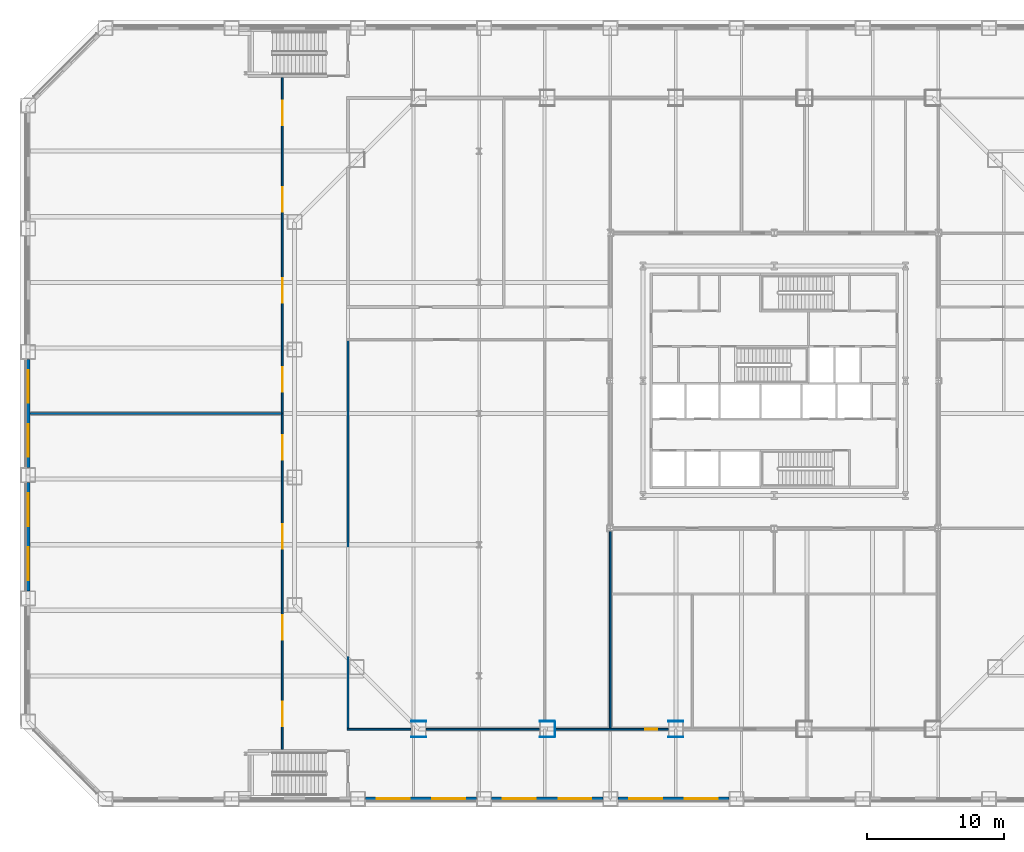
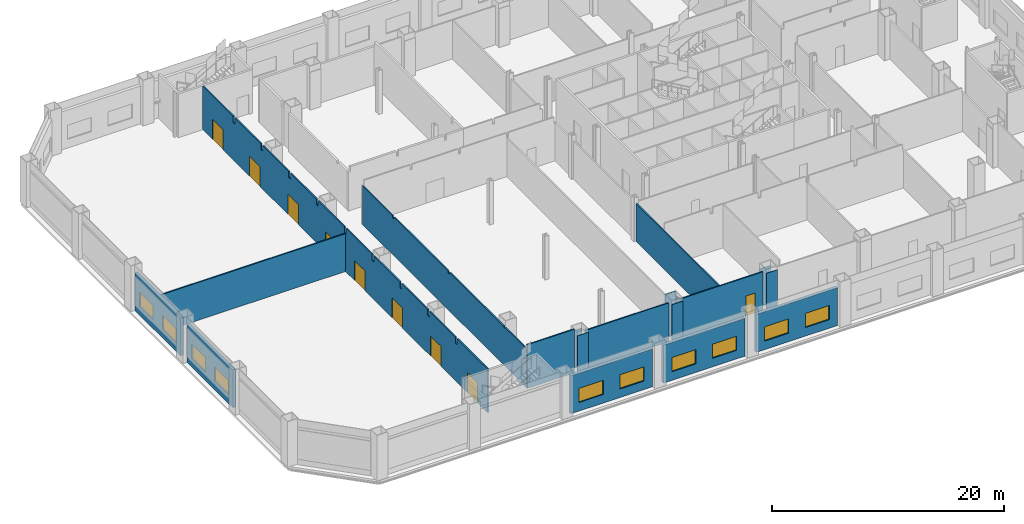
# One storey, part 12 of 26: 19 walls, 10 windows, 9 doors, 19 openings.
"""IFC4 building model written with IfcOpenShell, lengths in metres."""

from ifc_helpers import new_model, si_unit, direction, frame, frame_2d, origin, place, context, subcontext, project, spatial, polyline, rectangle, outline, extrude, material, layer, layer_set, type_object, element, fill, save


model = new_model("IFC4")

# Units and contexts
model_context = context("Model", 3, precision=1e-05, world=origin(), true_north=direction((0.0, 1.0)))
body_context = subcontext(model_context, "Body", "Model", "MODEL_VIEW")
ifc_project = project(units=[si_unit("LENGTHUNIT", "METRE"), si_unit("AREAUNIT", "SQUARE_METRE"), si_unit("VOLUMEUNIT", "CUBIC_METRE"), si_unit("PLANEANGLEUNIT", "RADIAN"), si_unit("MASSUNIT", "GRAM", prefix="KILO")], contexts=[model_context])

# Site, building, storey
site_placement = place(None, origin())
site = spatial("IfcSite", under=ifc_project, at=site_placement, CompositionType="ELEMENT")
building_placement = place(site_placement, origin())
building = spatial("IfcBuilding", under=site, at=building_placement, Name="Cairn Pilgrim Tower", CompositionType="ELEMENT")
storey_placement = place(building_placement, frame((0.0, 0.0, 21.0)))
storey = spatial("IfcBuildingStorey", under=building, at=storey_placement, Name="L03", CompositionType="ELEMENT", Elevation=21.0)

# Wall, openings, doors
ifc_material_1 = material(Name="Gypsum partition")
ifc_layer_1 = layer(ifc_material_1, 0.125)
ifc_layer_set_1 = layer_set([ifc_layer_1], Name="PARTITION 125 DRYWALL EI 60")
wall_type_1 = type_object("IfcWallType", Name="PARTITION 125 DRYWALL EI 60", PredefinedType="PARTITIONING", material=ifc_layer_set_1)
wall_1_placement = place(storey_placement, frame((-28.800048828125, -24.60009765625, 0.0), z_axis=(0.0, 0.0, 1.0), x_axis=(0.0, 1.0, 0.0)))
wall_1 = element("IfcWall", 1, at=wall_1_placement, inside=storey, type_object=wall_type_1, Name="PARTITION W007", PredefinedType="PARTITIONING", context=body_context, shape_type="SweptSolid", body=[
    extrude(outline(polyline([(0.0, 0.0), (49.2001953125, 0.0), (49.199951171875, 4.60009765625), (43.949951171875, 4.60009765625), (43.947998046875, 3.97998046875), (43.64990234375, 3.97998046875), (43.64794921875, 4.60009765625), (39.14990234375, 4.60009765625), (39.14794921875, 3.97998046875), (38.85009765625, 3.97998046875), (38.847900390625, 4.60009765625), (34.35009765625, 4.60009765625), (34.347900390625, 3.97998046875), (34.050048828125, 3.97998046875), (34.048095703125, 4.60009765625), (29.550048828125, 4.60009765625), (29.548095703125, 3.97998046875), (29.25, 3.97998046875), (29.248046875, 4.60009765625), (24.75, 4.60009765625), (24.748046875, 3.97998046875), (24.449951171875, 3.97998046875), (24.447998046875, 4.60009765625), (19.949951171875, 4.60009765625), (19.947998046875, 3.97998046875), (19.64990234375, 3.97998046875), (19.64794921875, 4.60009765625), (15.14990234375, 4.60009765625), (15.14794921875, 3.97998046875), (14.85009765625, 3.97998046875), (14.847900390625, 4.60009765625), (10.35009765625, 4.60009765625), (10.347900390625, 3.97998046875), (10.050048828125, 3.97998046875), (10.048095703125, 4.60009765625), (5.550048828125, 4.60009765625), (5.548095703125, 3.97998046875), (5.25, 3.97998046875), (5.248046875, 4.60009765625), (0.0, 4.60009765625), (0.0, 0.0)])), frame((0.0, 0.0625, 0.0), z_axis=(0.0, -1.0, 0.0), x_axis=(1.0, 0.0, 0.0)), (0.0, 0.0, 1.0), 0.125),
])
opening_1_placement = place(wall_1_placement, frame((1.699951171875, 0.0, 0.0)))
opening_1 = element("IfcOpeningElement", 2, at=opening_1_placement, cuts=wall_1, Name="Opening 0329", PredefinedType="OPENING", context=body_context, shape_type="SweptSolid", body=[
    extrude(rectangle(XDim=1.800048828125, YDim=2.10009765625, at=frame_2d((0.89990234375, 1.050048828125))), frame((0.0, 0.072509765625, 0.0), z_axis=(0.0, -1.0, 0.0), x_axis=(1.0, 0.0, 0.0)), (0.0, 0.0, 1.0), 0.14501953125),
])
opening_2_placement = place(wall_1_placement, frame((8.050048828125, 0.0, 0.0)))
opening_2 = element("IfcOpeningElement", 3, at=opening_2_placement, cuts=wall_1, Name="Opening 0330", PredefinedType="OPENING", context=body_context, shape_type="SweptSolid", body=[
    extrude(rectangle(XDim=1.800048828125, YDim=2.10009765625, at=frame_2d((0.89990234375, 1.050048828125))), frame((0.0, 0.072509765625, 0.0), z_axis=(0.0, -1.0, 0.0), x_axis=(1.0, 0.0, 0.0)), (0.0, 0.0, 1.0), 0.14501953125),
])
opening_3_placement = place(wall_1_placement, frame((14.699951171875, 0.0, 0.0)))
opening_3 = element("IfcOpeningElement", 4, at=opening_3_placement, cuts=wall_1, Name="Opening 0331", PredefinedType="OPENING", context=body_context, shape_type="SweptSolid", body=[
    extrude(rectangle(XDim=1.800048828125, YDim=2.10009765625, at=frame_2d((0.89990234375, 1.050048828125))), frame((0.0, 0.072509765625, 0.0), z_axis=(0.0, -1.0, 0.0), x_axis=(1.0, 0.0, 0.0)), (0.0, 0.0, 1.0), 0.14501953125),
])
opening_4_placement = place(wall_1_placement, frame((21.199951171875, 0.0, 0.0)))
opening_4 = element("IfcOpeningElement", 5, at=opening_4_placement, cuts=wall_1, Name="Opening 0332", PredefinedType="OPENING", context=body_context, shape_type="SweptSolid", body=[
    extrude(rectangle(XDim=1.800048828125, YDim=2.10009765625, at=frame_2d((0.89990234375, 1.050048828125))), frame((0.0, 0.072509765625, 0.0), z_axis=(0.0, -1.0, 0.0), x_axis=(1.0, 0.0, 0.0)), (0.0, 0.0, 1.0), 0.14501953125),
])
opening_5_placement = place(wall_1_placement, frame((26.199951171875, 0.0, 0.0)))
opening_5 = element("IfcOpeningElement", 6, at=opening_5_placement, cuts=wall_1, Name="Opening 0333", PredefinedType="OPENING", context=body_context, shape_type="SweptSolid", body=[
    extrude(rectangle(XDim=1.800048828125, YDim=2.10009765625, at=frame_2d((0.89990234375, 1.050048828125))), frame((0.0, 0.072509765625, 0.0), z_axis=(0.0, -1.0, 0.0), x_axis=(1.0, 0.0, 0.0)), (0.0, 0.0, 1.0), 0.14501953125),
])
opening_6_placement = place(wall_1_placement, frame((32.699951171875, 0.0, 0.0)))
opening_6 = element("IfcOpeningElement", 7, at=opening_6_placement, cuts=wall_1, Name="Opening 0334", PredefinedType="OPENING", context=body_context, shape_type="SweptSolid", body=[
    extrude(rectangle(XDim=1.800048828125, YDim=2.10009765625, at=frame_2d((0.89990234375, 1.050048828125))), frame((0.0, 0.072509765625, 0.0), z_axis=(0.0, -1.0, 0.0), x_axis=(1.0, 0.0, 0.0)), (0.0, 0.0, 1.0), 0.14501953125),
])
opening_7_placement = place(wall_1_placement, frame((39.35009765625, 0.0, 0.0)))
opening_7 = element("IfcOpeningElement", 8, at=opening_7_placement, cuts=wall_1, Name="Opening 0335", PredefinedType="OPENING", context=body_context, shape_type="SweptSolid", body=[
    extrude(rectangle(XDim=1.800048828125, YDim=2.10009765625, at=frame_2d((0.89990234375, 1.050048828125))), frame((0.0, 0.072509765625, 0.0), z_axis=(0.0, -1.0, 0.0), x_axis=(1.0, 0.0, 0.0)), (0.0, 0.0, 1.0), 0.14501953125),
])
opening_8_placement = place(wall_1_placement, frame((45.699951171875, 0.0, 0.0)))
opening_8 = element("IfcOpeningElement", 9, at=opening_8_placement, cuts=wall_1, Name="Opening 0336", PredefinedType="OPENING", context=body_context, shape_type="SweptSolid", body=[
    extrude(rectangle(XDim=1.800048828125, YDim=2.10009765625, at=frame_2d((0.89990234375, 1.050048828125))), frame((0.0, 0.072509765625, 0.0), z_axis=(0.0, -1.0, 0.0), x_axis=(1.0, 0.0, 0.0)), (0.0, 0.0, 1.0), 0.14501953125),
])
ifc_material_2 = material(Name="Timber door leaf", Category="wood")
door_type_1 = type_object("IfcDoorType", Name="DOOR PAIR 1800x2100 FD60S", OperationType="NOTDEFINED", PredefinedType="DOOR", material=ifc_material_2)
door_1_placement = place(opening_1_placement, frame((1.800048828125, 0.0, 0.0), z_axis=(0.0, 0.0, 1.0), x_axis=(-1.0, 0.0, 0.0)))
door_1 = element("IfcDoor", 10, at=door_1_placement, inside=storey, type_object=door_type_1, Name="DOOR 0329", OperationType="DOUBLE_DOOR_SINGLE_SWING", OverallHeight=2.10009765625, OverallWidth=1.800048828125, PredefinedType="DOOR", context=body_context, shape_type="SweptSolid", body=[
    extrude(rectangle(XDim=1.800048828125, YDim=2.10009765625, at=frame_2d((0.89990234375, 1.050048828125))), frame((0.0, 0.02490234375, 0.0), z_axis=(0.0, -1.0, 0.0), x_axis=(1.0, 0.0, 0.0)), (0.0, 0.0, 1.0), 0.050048828125),
])
fill(opening_1, door_1)
door_2_placement = place(opening_2_placement, frame((1.800048828125, 0.0, 0.0), z_axis=(0.0, 0.0, 1.0), x_axis=(-1.0, 0.0, 0.0)))
door_2 = element("IfcDoor", 11, at=door_2_placement, inside=storey, type_object=door_type_1, Name="DOOR 0330", OperationType="DOUBLE_DOOR_SINGLE_SWING", OverallHeight=2.10009765625, OverallWidth=1.800048828125, PredefinedType="DOOR", context=body_context, shape_type="SweptSolid", body=[
    extrude(rectangle(XDim=1.800048828125, YDim=2.10009765625, at=frame_2d((0.89990234375, 1.050048828125))), frame((0.0, 0.02490234375, 0.0), z_axis=(0.0, -1.0, 0.0), x_axis=(1.0, 0.0, 0.0)), (0.0, 0.0, 1.0), 0.050048828125),
])
fill(opening_2, door_2)
door_3_placement = place(opening_3_placement, frame((1.800048828125, 0.0, 0.0), z_axis=(0.0, 0.0, 1.0), x_axis=(-1.0, 0.0, 0.0)))
door_3 = element("IfcDoor", 12, at=door_3_placement, inside=storey, type_object=door_type_1, Name="DOOR 0331", OperationType="DOUBLE_DOOR_SINGLE_SWING", OverallHeight=2.10009765625, OverallWidth=1.800048828125, PredefinedType="DOOR", context=body_context, shape_type="SweptSolid", body=[
    extrude(rectangle(XDim=1.800048828125, YDim=2.10009765625, at=frame_2d((0.89990234375, 1.050048828125))), frame((0.0, 0.02490234375, 0.0), z_axis=(0.0, -1.0, 0.0), x_axis=(1.0, 0.0, 0.0)), (0.0, 0.0, 1.0), 0.050048828125),
])
fill(opening_3, door_3)
door_4_placement = place(opening_4_placement, frame((1.800048828125, 0.0, 0.0), z_axis=(0.0, 0.0, 1.0), x_axis=(-1.0, 0.0, 0.0)))
door_4 = element("IfcDoor", 13, at=door_4_placement, inside=storey, type_object=door_type_1, Name="DOOR 0332", OperationType="DOUBLE_DOOR_SINGLE_SWING", OverallHeight=2.10009765625, OverallWidth=1.800048828125, PredefinedType="DOOR", context=body_context, shape_type="SweptSolid", body=[
    extrude(rectangle(XDim=1.800048828125, YDim=2.10009765625, at=frame_2d((0.89990234375, 1.050048828125))), frame((0.0, 0.02490234375, 0.0), z_axis=(0.0, -1.0, 0.0), x_axis=(1.0, 0.0, 0.0)), (0.0, 0.0, 1.0), 0.050048828125),
])
fill(opening_4, door_4)
door_5_placement = place(opening_5_placement, frame((1.800048828125, 0.0, 0.0), z_axis=(0.0, 0.0, 1.0), x_axis=(-1.0, 0.0, 0.0)))
door_5 = element("IfcDoor", 14, at=door_5_placement, inside=storey, type_object=door_type_1, Name="DOOR 0333", OperationType="DOUBLE_DOOR_SINGLE_SWING", OverallHeight=2.10009765625, OverallWidth=1.800048828125, PredefinedType="DOOR", context=body_context, shape_type="SweptSolid", body=[
    extrude(rectangle(XDim=1.800048828125, YDim=2.10009765625, at=frame_2d((0.89990234375, 1.050048828125))), frame((0.0, 0.02490234375, 0.0), z_axis=(0.0, -1.0, 0.0), x_axis=(1.0, 0.0, 0.0)), (0.0, 0.0, 1.0), 0.050048828125),
])
fill(opening_5, door_5)
door_6_placement = place(opening_6_placement, frame((1.800048828125, 0.0, 0.0), z_axis=(0.0, 0.0, 1.0), x_axis=(-1.0, 0.0, 0.0)))
door_6 = element("IfcDoor", 15, at=door_6_placement, inside=storey, type_object=door_type_1, Name="DOOR 0334", OperationType="DOUBLE_DOOR_SINGLE_SWING", OverallHeight=2.10009765625, OverallWidth=1.800048828125, PredefinedType="DOOR", context=body_context, shape_type="SweptSolid", body=[
    extrude(rectangle(XDim=1.800048828125, YDim=2.10009765625, at=frame_2d((0.89990234375, 1.050048828125))), frame((0.0, 0.02490234375, 0.0), z_axis=(0.0, -1.0, 0.0), x_axis=(1.0, 0.0, 0.0)), (0.0, 0.0, 1.0), 0.050048828125),
])
fill(opening_6, door_6)
door_7_placement = place(opening_7_placement, frame((1.800048828125, 0.0, 0.0), z_axis=(0.0, 0.0, 1.0), x_axis=(-1.0, 0.0, 0.0)))
door_7 = element("IfcDoor", 16, at=door_7_placement, inside=storey, type_object=door_type_1, Name="DOOR 0335", OperationType="DOUBLE_DOOR_SINGLE_SWING", OverallHeight=2.10009765625, OverallWidth=1.800048828125, PredefinedType="DOOR", context=body_context, shape_type="SweptSolid", body=[
    extrude(rectangle(XDim=1.800048828125, YDim=2.10009765625, at=frame_2d((0.89990234375, 1.050048828125))), frame((0.0, 0.02490234375, 0.0), z_axis=(0.0, -1.0, 0.0), x_axis=(1.0, 0.0, 0.0)), (0.0, 0.0, 1.0), 0.050048828125),
])
fill(opening_7, door_7)
door_8_placement = place(opening_8_placement, frame((1.800048828125, 0.0, 0.0), z_axis=(0.0, 0.0, 1.0), x_axis=(-1.0, 0.0, 0.0)))
door_8 = element("IfcDoor", 17, at=door_8_placement, inside=storey, type_object=door_type_1, Name="DOOR 0336", OperationType="DOUBLE_DOOR_SINGLE_SWING", OverallHeight=2.10009765625, OverallWidth=1.800048828125, PredefinedType="DOOR", context=body_context, shape_type="SweptSolid", body=[
    extrude(rectangle(XDim=1.800048828125, YDim=2.10009765625, at=frame_2d((0.89990234375, 1.050048828125))), frame((0.0, 0.02490234375, 0.0), z_axis=(0.0, -1.0, 0.0), x_axis=(1.0, 0.0, 0.0)), (0.0, 0.0, 1.0), 0.050048828125),
])
fill(opening_8, door_8)

# Walls
wall_2_placement = place(storey_placement, frame((-24.0625, -23.10009765625, 0.0), z_axis=(0.0, 0.0, 1.0), x_axis=(1.0, 0.0, 0.0)))
element("IfcWall", 18, at=wall_2_placement, inside=storey, type_object=wall_type_1, Name="PARTITION W008", PredefinedType="PARTITIONING", context=body_context, shape_type="SweptSolid", body=[
    extrude(rectangle(XDim=4.685302734375, YDim=0.125, at=frame_2d((2.3427734375, 0.0))), origin(), (0.0, 0.0, 1.0), 4.60009765625),
])
wall_3_placement = place(storey_placement, frame((-18.277099609375, -23.10009765625, 0.0), z_axis=(0.0, 0.0, 1.0), x_axis=(1.0, 0.0, 0.0)))
element("IfcWall", 19, at=wall_3_placement, inside=storey, type_object=wall_type_1, Name="PARTITION W009", PredefinedType="PARTITIONING", context=body_context, shape_type="SweptSolid", body=[
    extrude(rectangle(XDim=8.3134765625, YDim=0.125, at=frame_2d((4.15673828125, 0.0))), origin(), (0.0, 0.0, 1.0), 4.080078125),
])

# Wall, opening, door
wall_4_placement = place(storey_placement, frame((-8.863525390625, -23.10009765625, 0.0), z_axis=(0.0, 0.0, 1.0), x_axis=(1.0, 0.0, 0.0)))
wall_4 = element("IfcWall", 20, at=wall_4_placement, inside=storey, type_object=wall_type_1, Name="PARTITION W010", PredefinedType="PARTITIONING", context=body_context, shape_type="SweptSolid", body=[
    extrude(rectangle(XDim=8.3134765625, YDim=0.125, at=frame_2d((4.15673828125, 0.0))), origin(), (0.0, 0.0, 1.0), 4.080078125),
])
opening_9_placement = place(wall_4_placement, frame((6.613525390625, 0.0, 0.0)))
opening_9 = element("IfcOpeningElement", 21, at=opening_9_placement, cuts=wall_4, Name="Opening 0312", PredefinedType="OPENING", context=body_context, shape_type="SweptSolid", body=[
    extrude(rectangle(XDim=0.89990234375, YDim=2.10009765625, at=frame_2d((0.449951171875, 1.050048828125))), frame((0.0, 0.072509765625, 0.0), z_axis=(0.0, -1.0, 0.0), x_axis=(1.0, 0.0, 0.0)), (0.0, 0.0, 1.0), 0.14501953125),
])
door_type_2 = type_object("IfcDoorType", Name="SERVICE DOOR 900x2100 FD30S", OperationType="NOTDEFINED", PredefinedType="DOOR", material=ifc_material_2)
door_9_placement = place(opening_9_placement, frame((0.89990234375, 0.0, 0.0), z_axis=(0.0, 0.0, 1.0), x_axis=(-1.0, 0.0, 0.0)))
door_9 = element("IfcDoor", 22, at=door_9_placement, inside=storey, type_object=door_type_2, Name="DOOR 0312", OperationType="SINGLE_SWING_RIGHT", OverallHeight=2.10009765625, OverallWidth=0.89990234375, PredefinedType="DOOR", context=body_context, shape_type="SweptSolid", body=[
    extrude(rectangle(XDim=0.89990234375, YDim=2.10009765625, at=frame_2d((0.449951171875, 1.050048828125))), frame((0.0, 0.02490234375, 0.0), z_axis=(0.0, -1.0, 0.0), x_axis=(1.0, 0.0, 0.0)), (0.0, 0.0, 1.0), 0.050048828125),
])
fill(opening_9, door_9)

# Walls
wall_5_placement = place(storey_placement, frame((-24.0, -23.03759765625, 0.0), z_axis=(0.0, 0.0, 1.0), x_axis=(0.0, 1.0, 0.0)))
element("IfcWall", 23, at=wall_5_placement, inside=storey, type_object=wall_type_1, Name="PARTITION W014", PredefinedType="PARTITIONING", context=body_context, shape_type="SweptSolid", body=[
    extrude(outline(polyline([(0.0, 0.0), (28.375, 0.0), (28.375, 4.080078125), (23.1875, 4.080078125), (23.185546875, 3.8798828125), (22.887451171875, 3.8798828125), (22.885498046875, 4.080078125), (13.58740234375, 4.080078125), (13.58544921875, 3.8798828125), (13.28759765625, 3.8798828125), (13.285400390625, 4.080078125), (3.987548828125, 4.080078125), (3.985595703125, 3.97998046875), (3.6875, 3.97998046875), (3.685546875, 4.080078125), (0.0, 4.080078125), (0.0, 0.0)])), frame((0.0, 0.0625, 0.0), z_axis=(0.0, -1.0, 0.0), x_axis=(1.0, 0.0, 0.0)), (0.0, 0.0, 1.0), 0.125),
])
wall_6_placement = place(storey_placement, frame((-4.800048828125, -23.03759765625, 0.0), z_axis=(0.0, 0.0, 1.0), x_axis=(0.0, 1.0, 0.0)))
element("IfcWall", 24, at=wall_6_placement, inside=storey, type_object=wall_type_1, Name="PARTITION W015", PredefinedType="PARTITIONING", context=body_context, shape_type="SweptSolid", body=[
    extrude(rectangle(XDim=14.400634765625, YDim=0.125, at=frame_2d((7.2001953125, 0.0))), origin(), (0.0, 0.0, 1.0), 3.97998046875),
])
wall_7_placement = place(storey_placement, frame((-47.25, 0.0, 0.0), z_axis=(0.0, 0.0, 1.0), x_axis=(1.0, 0.0, 0.0)))
element("IfcWall", 25, at=wall_7_placement, inside=storey, type_object=wall_type_1, Name="PARTITION W036", PredefinedType="PARTITIONING", context=body_context, shape_type="SweptSolid", body=[
    extrude(rectangle(XDim=18.387451171875, YDim=0.125, at=frame_2d((9.19384765625, 0.0))), origin(), (0.0, 0.0, 1.0), 3.97998046875),
])
ifc_layer_2 = layer(ifc_material_1, 0.050048828125)
ifc_layer_set_2 = layer_set([ifc_layer_2], Name="PARTITION 50 DRYWALL EI 60")
wall_type_2 = type_object("IfcWallType", Name="PARTITION 50 DRYWALL EI 60", PredefinedType="PARTITIONING", material=ifc_layer_set_2)
wall_8_placement = place(storey_placement, frame((-19.377197265625, -22.52490234375, 0.0), z_axis=(0.0, 0.0, 1.0), x_axis=(1.0, 0.0, 0.0)))
element("IfcWall", 26, at=wall_8_placement, inside=storey, type_object=wall_type_2, Name="COLUMN CASING WC01", PredefinedType="PARTITIONING", context=body_context, shape_type="SweptSolid", body=[
    extrude(rectangle(XDim=1.10009765625, YDim=0.050048828125, at=frame_2d((0.550048828125, 0.0))), origin(), (0.0, 0.0, 1.0), 3.97998046875),
])
wall_9_placement = place(storey_placement, frame((-19.377197265625, -23.675048828125, 0.0), z_axis=(0.0, 0.0, 1.0), x_axis=(1.0, 0.0, 0.0)))
element("IfcWall", 27, at=wall_9_placement, inside=storey, type_object=wall_type_2, Name="COLUMN CASING WC02", PredefinedType="PARTITIONING", context=body_context, shape_type="SweptSolid", body=[
    extrude(rectangle(XDim=1.10009765625, YDim=0.050048828125, at=frame_2d((0.550048828125, 0.0))), origin(), (0.0, 0.0, 1.0), 4.219970703125),
])
wall_10_placement = place(storey_placement, frame((-9.963623046875, -22.52490234375, 0.0), z_axis=(0.0, 0.0, 1.0), x_axis=(1.0, 0.0, 0.0)))
element("IfcWall", 28, at=wall_10_placement, inside=storey, type_object=wall_type_2, Name="COLUMN CASING WC03", PredefinedType="PARTITIONING", context=body_context, shape_type="SweptSolid", body=[
    extrude(rectangle(XDim=1.10009765625, YDim=0.050048828125, at=frame_2d((0.550048828125, 0.0))), origin(), (0.0, 0.0, 1.0), 4.60009765625),
])
wall_11_placement = place(storey_placement, frame((-9.963623046875, -23.675048828125, 0.0), z_axis=(0.0, 0.0, 1.0), x_axis=(1.0, 0.0, 0.0)))
element("IfcWall", 29, at=wall_11_placement, inside=storey, type_object=wall_type_2, Name="COLUMN CASING WC04", PredefinedType="PARTITIONING", context=body_context, shape_type="SweptSolid", body=[
    extrude(rectangle(XDim=1.10009765625, YDim=0.050048828125, at=frame_2d((0.550048828125, 0.0))), origin(), (0.0, 0.0, 1.0), 4.219970703125),
])
wall_12_placement = place(storey_placement, frame((-0.550048828125, -22.52490234375, 0.0), z_axis=(0.0, 0.0, 1.0), x_axis=(1.0, 0.0, 0.0)))
element("IfcWall", 30, at=wall_12_placement, inside=storey, type_object=wall_type_2, Name="COLUMN CASING WC05", PredefinedType="PARTITIONING", context=body_context, shape_type="SweptSolid", body=[
    extrude(rectangle(XDim=1.10009765625, YDim=0.050048828125, at=frame_2d((0.550048828125, 0.0))), origin(), (0.0, 0.0, 1.0), 3.97998046875),
])
wall_13_placement = place(storey_placement, frame((-0.550048828125, -23.675048828125, 0.0), z_axis=(0.0, 0.0, 1.0), x_axis=(1.0, 0.0, 0.0)))
element("IfcWall", 31, at=wall_13_placement, inside=storey, type_object=wall_type_2, Name="COLUMN CASING WC06", PredefinedType="PARTITIONING", context=body_context, shape_type="SweptSolid", body=[
    extrude(rectangle(XDim=1.10009765625, YDim=0.050048828125, at=frame_2d((0.550048828125, 0.0))), origin(), (0.0, 0.0, 1.0), 4.219970703125),
])
wall_14_placement = place(storey_placement, frame((-8.838623046875, -23.64990234375, 0.0), z_axis=(0.0, 0.0, 1.0), x_axis=(0.0, 1.0, 0.0)))
element("IfcWall", 32, at=wall_14_placement, inside=storey, type_object=wall_type_2, Name="COLUMN CASING WC11", PredefinedType="PARTITIONING", context=body_context, shape_type="SweptSolid", body=[
    extrude(rectangle(XDim=1.099853515625, YDim=0.050048828125, at=frame_2d((0.5498046875, 0.0))), origin(), (0.0, 0.0, 1.0), 4.080078125),
])

# Wall, openings, windows
ifc_material_3 = material(Name="Concrete C35/45 backup wall with bronze aluminium cladding", Category="concrete")
ifc_layer_3 = layer(ifc_material_3, 0.300048828125)
ifc_layer_set_3 = layer_set([ifc_layer_3], Name="PODIUM WALL 300 BRONZE-CLAD")
wall_type_3 = type_object("IfcWallType", Name="PODIUM WALL 300 BRONZE-CLAD", PredefinedType="SOLIDWALL", material=ifc_layer_set_3)
wall_15_placement = place(storey_placement, frame((-22.7255859375, -28.199951171875, 0.0), z_axis=(0.0, 0.0, 1.0), x_axis=(1.0, 0.0, 0.0)))
wall_15 = element("IfcWall", 33, at=wall_15_placement, inside=storey, type_object=wall_type_3, Name="PODIUM EXTERNAL WALL S3-S4", PredefinedType="SOLIDWALL", context=body_context, shape_type="SweptSolid", body=[
    extrude(rectangle(XDim=8.1376953125, YDim=0.300048828125, at=frame_2d((4.06884765625, 0.0))), origin(), (0.0, 0.0, 1.0), 4.0),
])
opening_10_placement = place(wall_15_placement, frame((0.83447265625, 0.0, 0.89990234375)))
opening_10 = element("IfcOpeningElement", 34, at=opening_10_placement, cuts=wall_15, Name="Opening PW15", PredefinedType="OPENING", context=body_context, shape_type="SweptSolid", body=[
    extrude(rectangle(XDim=2.39990234375, YDim=1.5, at=frame_2d((1.199951171875, 0.75))), frame((0.0, 0.16015625, 0.0), z_axis=(0.0, -1.0, 0.0), x_axis=(1.0, 0.0, 0.0)), (0.0, 0.0, 1.0), 0.320068359375),
])
opening_11_placement = place(wall_15_placement, frame((4.9033203125, 0.0, 0.89990234375)))
opening_11 = element("IfcOpeningElement", 35, at=opening_11_placement, cuts=wall_15, Name="Opening PW15", PredefinedType="OPENING", context=body_context, shape_type="SweptSolid", body=[
    extrude(rectangle(XDim=2.39990234375, YDim=1.5, at=frame_2d((1.199951171875, 0.75))), frame((0.0, 0.16015625, 0.0), z_axis=(0.0, -1.0, 0.0), x_axis=(1.0, 0.0, 0.0)), (0.0, 0.0, 1.0), 0.320068359375),
])
ifc_material_4 = material(Name="Bronze anodised aluminium frame with tinted low-E glass", Category="aluminium")
window_type = type_object("IfcWindowType", Name="PODIUM FIXED WINDOW 2400x1500", PartitioningType="SINGLE_PANEL", PredefinedType="WINDOW", material=ifc_material_4)
window_1_placement = place(opening_10_placement, origin())
window_1 = element("IfcWindow", 36, at=window_1_placement, inside=storey, type_object=window_type, Name="PODIUM WINDOW", OverallHeight=1.5, OverallWidth=2.39990234375, PartitioningType="SINGLE_PANEL", PredefinedType="WINDOW", context=body_context, shape_type="SweptSolid", body=[
    extrude(rectangle(XDim=2.39990234375, YDim=1.5, at=frame_2d((1.199951171875, 0.75))), frame((0.0, 0.030029296875, 0.0), z_axis=(0.0, -1.0, 0.0), x_axis=(1.0, 0.0, 0.0)), (0.0, 0.0, 1.0), 0.06005859375),
])
fill(opening_10, window_1)
window_2_placement = place(opening_11_placement, origin())
window_2 = element("IfcWindow", 37, at=window_2_placement, inside=storey, type_object=window_type, Name="PODIUM WINDOW", OverallHeight=1.5, OverallWidth=2.39990234375, PartitioningType="SINGLE_PANEL", PredefinedType="WINDOW", context=body_context, shape_type="SweptSolid", body=[
    extrude(rectangle(XDim=2.39990234375, YDim=1.5, at=frame_2d((1.199951171875, 0.75))), frame((0.0, 0.030029296875, 0.0), z_axis=(0.0, -1.0, 0.0), x_axis=(1.0, 0.0, 0.0)), (0.0, 0.0, 1.0), 0.06005859375),
])
fill(opening_11, window_2)

wall_16_placement = place(storey_placement, frame((-13.48779296875, -28.199951171875, 0.0), z_axis=(0.0, 0.0, 1.0), x_axis=(1.0, 0.0, 0.0)))
wall_16 = element("IfcWall", 38, at=wall_16_placement, inside=storey, type_object=wall_type_3, Name="PODIUM EXTERNAL WALL S4-S5", PredefinedType="SOLIDWALL", context=body_context, shape_type="SweptSolid", body=[
    extrude(rectangle(XDim=8.1376953125, YDim=0.300048828125, at=frame_2d((4.06884765625, 0.0))), origin(), (0.0, 0.0, 1.0), 4.0),
])
opening_12_placement = place(wall_16_placement, frame((0.83447265625, 0.0, 0.89990234375)))
opening_12 = element("IfcOpeningElement", 39, at=opening_12_placement, cuts=wall_16, Name="Opening PW15", PredefinedType="OPENING", context=body_context, shape_type="SweptSolid", body=[
    extrude(rectangle(XDim=2.39990234375, YDim=1.5, at=frame_2d((1.199951171875, 0.75))), frame((0.0, 0.16015625, 0.0), z_axis=(0.0, -1.0, 0.0), x_axis=(1.0, 0.0, 0.0)), (0.0, 0.0, 1.0), 0.320068359375),
])
opening_13_placement = place(wall_16_placement, frame((4.9033203125, 0.0, 0.89990234375)))
opening_13 = element("IfcOpeningElement", 40, at=opening_13_placement, cuts=wall_16, Name="Opening PW15", PredefinedType="OPENING", context=body_context, shape_type="SweptSolid", body=[
    extrude(rectangle(XDim=2.39990234375, YDim=1.5, at=frame_2d((1.199951171875, 0.75))), frame((0.0, 0.16015625, 0.0), z_axis=(0.0, -1.0, 0.0), x_axis=(1.0, 0.0, 0.0)), (0.0, 0.0, 1.0), 0.320068359375),
])
window_3_placement = place(opening_12_placement, origin())
window_3 = element("IfcWindow", 41, at=window_3_placement, inside=storey, type_object=window_type, Name="PODIUM WINDOW", OverallHeight=1.5, OverallWidth=2.39990234375, PartitioningType="SINGLE_PANEL", PredefinedType="WINDOW", context=body_context, shape_type="SweptSolid", body=[
    extrude(rectangle(XDim=2.39990234375, YDim=1.5, at=frame_2d((1.199951171875, 0.75))), frame((0.0, 0.030029296875, 0.0), z_axis=(0.0, -1.0, 0.0), x_axis=(1.0, 0.0, 0.0)), (0.0, 0.0, 1.0), 0.06005859375),
])
fill(opening_12, window_3)
window_4_placement = place(opening_13_placement, origin())
window_4 = element("IfcWindow", 42, at=window_4_placement, inside=storey, type_object=window_type, Name="PODIUM WINDOW", OverallHeight=1.5, OverallWidth=2.39990234375, PartitioningType="SINGLE_PANEL", PredefinedType="WINDOW", context=body_context, shape_type="SweptSolid", body=[
    extrude(rectangle(XDim=2.39990234375, YDim=1.5, at=frame_2d((1.199951171875, 0.75))), frame((0.0, 0.030029296875, 0.0), z_axis=(0.0, -1.0, 0.0), x_axis=(1.0, 0.0, 0.0)), (0.0, 0.0, 1.0), 0.06005859375),
])
fill(opening_13, window_4)

wall_17_placement = place(storey_placement, frame((-4.25, -28.199951171875, 0.0), z_axis=(0.0, 0.0, 1.0), x_axis=(1.0, 0.0, 0.0)))
wall_17 = element("IfcWall", 43, at=wall_17_placement, inside=storey, type_object=wall_type_3, Name="PODIUM EXTERNAL WALL S5-S6", PredefinedType="SOLIDWALL", context=body_context, shape_type="SweptSolid", body=[
    extrude(rectangle(XDim=8.137939453125, YDim=0.300048828125, at=frame_2d((4.06884765625, 0.0))), origin(), (0.0, 0.0, 1.0), 4.0),
])
opening_14_placement = place(wall_17_placement, frame((0.83447265625, 0.0, 0.89990234375)))
opening_14 = element("IfcOpeningElement", 44, at=opening_14_placement, cuts=wall_17, Name="Opening PW15", PredefinedType="OPENING", context=body_context, shape_type="SweptSolid", body=[
    extrude(rectangle(XDim=2.39990234375, YDim=1.5, at=frame_2d((1.199951171875, 0.75))), frame((0.0, 0.16015625, 0.0), z_axis=(0.0, -1.0, 0.0), x_axis=(1.0, 0.0, 0.0)), (0.0, 0.0, 1.0), 0.320068359375),
])
opening_15_placement = place(wall_17_placement, frame((4.9033203125, 0.0, 0.89990234375)))
opening_15 = element("IfcOpeningElement", 45, at=opening_15_placement, cuts=wall_17, Name="Opening PW15", PredefinedType="OPENING", context=body_context, shape_type="SweptSolid", body=[
    extrude(rectangle(XDim=2.39990234375, YDim=1.5, at=frame_2d((1.199951171875, 0.75))), frame((0.0, 0.16015625, 0.0), z_axis=(0.0, -1.0, 0.0), x_axis=(1.0, 0.0, 0.0)), (0.0, 0.0, 1.0), 0.320068359375),
])
window_5_placement = place(opening_14_placement, origin())
window_5 = element("IfcWindow", 46, at=window_5_placement, inside=storey, type_object=window_type, Name="PODIUM WINDOW", OverallHeight=1.5, OverallWidth=2.39990234375, PartitioningType="SINGLE_PANEL", PredefinedType="WINDOW", context=body_context, shape_type="SweptSolid", body=[
    extrude(rectangle(XDim=2.39990234375, YDim=1.5, at=frame_2d((1.199951171875, 0.75))), frame((0.0, 0.030029296875, 0.0), z_axis=(0.0, -1.0, 0.0), x_axis=(1.0, 0.0, 0.0)), (0.0, 0.0, 1.0), 0.06005859375),
])
fill(opening_14, window_5)
window_6_placement = place(opening_15_placement, origin())
window_6 = element("IfcWindow", 47, at=window_6_placement, inside=storey, type_object=window_type, Name="PODIUM WINDOW", OverallHeight=1.5, OverallWidth=2.39990234375, PartitioningType="SINGLE_PANEL", PredefinedType="WINDOW", context=body_context, shape_type="SweptSolid", body=[
    extrude(rectangle(XDim=2.39990234375, YDim=1.5, at=frame_2d((1.199951171875, 0.75))), frame((0.0, 0.030029296875, 0.0), z_axis=(0.0, -1.0, 0.0), x_axis=(1.0, 0.0, 0.0)), (0.0, 0.0, 1.0), 0.06005859375),
])
fill(opening_15, window_6)

wall_18_placement = place(storey_placement, frame((-47.39990234375, 3.960205078125, 0.0), z_axis=(0.0, 0.0, 1.0), x_axis=(0.0, -1.0, 0.0)))
wall_18 = element("IfcWall", 48, at=wall_18_placement, inside=storey, type_object=wall_type_3, Name="PODIUM EXTERNAL WALL W3-W4", PredefinedType="SOLIDWALL", context=body_context, shape_type="SweptSolid", body=[
    extrude(rectangle(XDim=7.92041015625, YDim=0.300048828125, at=frame_2d((3.960205078125, 0.0))), origin(), (0.0, 0.0, 1.0), 4.0),
])
opening_16_placement = place(wall_18_placement, frame((0.780029296875, 0.0, 0.89990234375)))
opening_16 = element("IfcOpeningElement", 49, at=opening_16_placement, cuts=wall_18, Name="Opening PW15", PredefinedType="OPENING", context=body_context, shape_type="SweptSolid", body=[
    extrude(rectangle(XDim=2.39990234375, YDim=1.5, at=frame_2d((1.199951171875, 0.75))), frame((0.0, 0.16015625, 0.0), z_axis=(0.0, -1.0, 0.0), x_axis=(1.0, 0.0, 0.0)), (0.0, 0.0, 1.0), 0.320068359375),
])
opening_17_placement = place(wall_18_placement, frame((4.740478515625, 0.0, 0.89990234375)))
opening_17 = element("IfcOpeningElement", 50, at=opening_17_placement, cuts=wall_18, Name="Opening PW15", PredefinedType="OPENING", context=body_context, shape_type="SweptSolid", body=[
    extrude(rectangle(XDim=2.39990234375, YDim=1.5, at=frame_2d((1.199951171875, 0.75))), frame((0.0, 0.16015625, 0.0), z_axis=(0.0, -1.0, 0.0), x_axis=(1.0, 0.0, 0.0)), (0.0, 0.0, 1.0), 0.320068359375),
])
window_7_placement = place(opening_16_placement, origin())
window_7 = element("IfcWindow", 51, at=window_7_placement, inside=storey, type_object=window_type, Name="PODIUM WINDOW", OverallHeight=1.5, OverallWidth=2.39990234375, PartitioningType="SINGLE_PANEL", PredefinedType="WINDOW", context=body_context, shape_type="SweptSolid", body=[
    extrude(rectangle(XDim=2.39990234375, YDim=1.5, at=frame_2d((1.199951171875, 0.75))), frame((0.0, 0.030029296875, 0.0), z_axis=(0.0, -1.0, 0.0), x_axis=(1.0, 0.0, 0.0)), (0.0, 0.0, 1.0), 0.06005859375),
])
fill(opening_16, window_7)
window_8_placement = place(opening_17_placement, origin())
window_8 = element("IfcWindow", 52, at=window_8_placement, inside=storey, type_object=window_type, Name="PODIUM WINDOW", OverallHeight=1.5, OverallWidth=2.39990234375, PartitioningType="SINGLE_PANEL", PredefinedType="WINDOW", context=body_context, shape_type="SweptSolid", body=[
    extrude(rectangle(XDim=2.39990234375, YDim=1.5, at=frame_2d((1.199951171875, 0.75))), frame((0.0, 0.030029296875, 0.0), z_axis=(0.0, -1.0, 0.0), x_axis=(1.0, 0.0, 0.0)), (0.0, 0.0, 1.0), 0.06005859375),
])
fill(opening_17, window_8)

wall_19_placement = place(storey_placement, frame((-47.39990234375, -5.060302734375, 0.0), z_axis=(0.0, 0.0, 1.0), x_axis=(0.0, -1.0, 0.0)))
wall_19 = element("IfcWall", 53, at=wall_19_placement, inside=storey, type_object=wall_type_3, Name="PODIUM EXTERNAL WALL W4-W5", PredefinedType="SOLIDWALL", context=body_context, shape_type="SweptSolid", body=[
    extrude(rectangle(XDim=7.920654296875, YDim=0.300048828125, at=frame_2d((3.96044921875, 0.0))), origin(), (0.0, 0.0, 1.0), 4.0),
])
opening_18_placement = place(wall_19_placement, frame((0.780029296875, 0.0, 0.89990234375)))
opening_18 = element("IfcOpeningElement", 54, at=opening_18_placement, cuts=wall_19, Name="Opening PW15", PredefinedType="OPENING", context=body_context, shape_type="SweptSolid", body=[
    extrude(rectangle(XDim=2.39990234375, YDim=1.5, at=frame_2d((1.199951171875, 0.75))), frame((0.0, 0.16015625, 0.0), z_axis=(0.0, -1.0, 0.0), x_axis=(1.0, 0.0, 0.0)), (0.0, 0.0, 1.0), 0.320068359375),
])
opening_19_placement = place(wall_19_placement, frame((4.740478515625, 0.0, 0.89990234375)))
opening_19 = element("IfcOpeningElement", 55, at=opening_19_placement, cuts=wall_19, Name="Opening PW15", PredefinedType="OPENING", context=body_context, shape_type="SweptSolid", body=[
    extrude(rectangle(XDim=2.39990234375, YDim=1.5, at=frame_2d((1.199951171875, 0.75))), frame((0.0, 0.16015625, 0.0), z_axis=(0.0, -1.0, 0.0), x_axis=(1.0, 0.0, 0.0)), (0.0, 0.0, 1.0), 0.320068359375),
])
window_9_placement = place(opening_18_placement, origin())
window_9 = element("IfcWindow", 56, at=window_9_placement, inside=storey, type_object=window_type, Name="PODIUM WINDOW", OverallHeight=1.5, OverallWidth=2.39990234375, PartitioningType="SINGLE_PANEL", PredefinedType="WINDOW", context=body_context, shape_type="SweptSolid", body=[
    extrude(rectangle(XDim=2.39990234375, YDim=1.5, at=frame_2d((1.199951171875, 0.75))), frame((0.0, 0.030029296875, 0.0), z_axis=(0.0, -1.0, 0.0), x_axis=(1.0, 0.0, 0.0)), (0.0, 0.0, 1.0), 0.06005859375),
])
fill(opening_18, window_9)
window_10_placement = place(opening_19_placement, origin())
window_10 = element("IfcWindow", 57, at=window_10_placement, inside=storey, type_object=window_type, Name="PODIUM WINDOW", OverallHeight=1.5, OverallWidth=2.39990234375, PartitioningType="SINGLE_PANEL", PredefinedType="WINDOW", context=body_context, shape_type="SweptSolid", body=[
    extrude(rectangle(XDim=2.39990234375, YDim=1.5, at=frame_2d((1.199951171875, 0.75))), frame((0.0, 0.030029296875, 0.0), z_axis=(0.0, -1.0, 0.0), x_axis=(1.0, 0.0, 0.0)), (0.0, 0.0, 1.0), 0.06005859375),
])
fill(opening_19, window_10)

save(model, "model.ifc")
